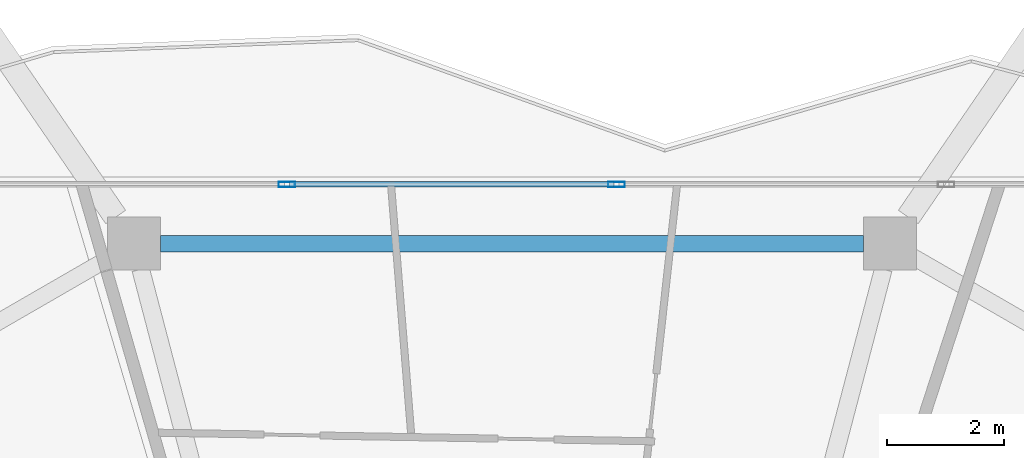
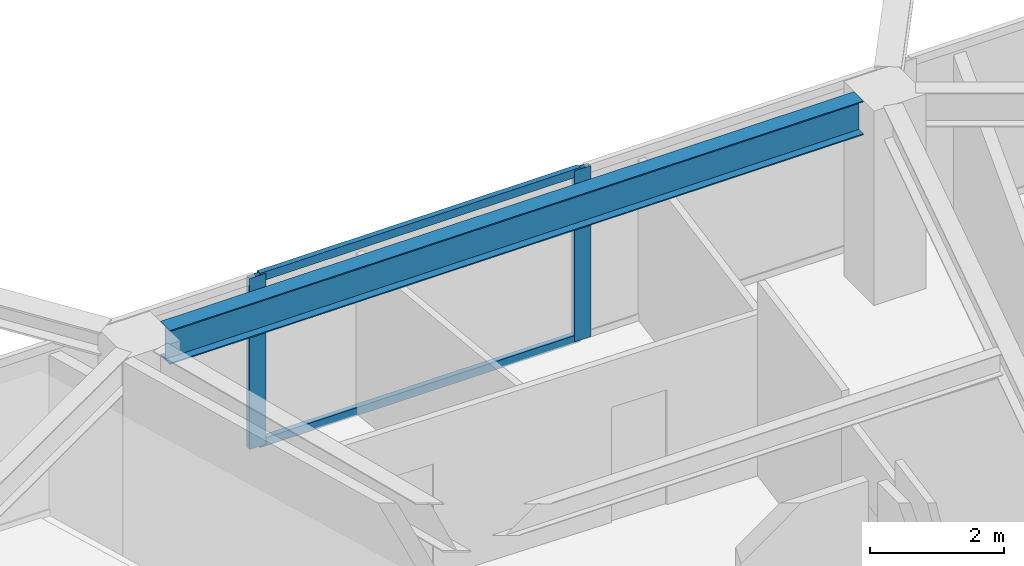
# One storey, part 14 of 26: 4 members, 1 beam, 1 element without a shape of its own.
"""IFC4 building model written with IfcOpenShell, lengths in metres."""

from ifc_helpers import new_model, si_unit, direction, frame, origin, origin_2d, place, context, subcontext, project, spatial, hollow_rectangle, i_section, extrude, material, material_profile, profile_set, type_object, element, aggregate, save


model = new_model("IFC4")

# Units and contexts
model_context = context("Model", 3, precision=1e-05, world=origin(), true_north=direction((0.0, 1.0)))
body_context = subcontext(model_context, "Body", "Model", "MODEL_VIEW")
ifc_project = project(units=[si_unit("LENGTHUNIT", "METRE"), si_unit("AREAUNIT", "SQUARE_METRE"), si_unit("VOLUMEUNIT", "CUBIC_METRE"), si_unit("PLANEANGLEUNIT", "RADIAN"), si_unit("MASSUNIT", "GRAM", prefix="KILO")], contexts=[model_context])

# Site, building, storey
site_placement = place(None, origin())
site = spatial("IfcSite", under=ifc_project, at=site_placement, CompositionType="ELEMENT")
building_placement = place(site_placement, origin())
building = spatial("IfcBuilding", under=site, at=building_placement, Name="Zuhravey Tower", CompositionType="ELEMENT")
storey_placement = place(building_placement, frame((0.0, 0.0, 242.60009765625)))
storey = spatial("IfcBuildingStorey", under=building, at=storey_placement, Name="L61", CompositionType="ELEMENT", Elevation=242.60009765625)

# Curtain wall, members
ifc_material_1 = material(Name="Thermally broken anodised aluminium", Category="aluminium")
curtain_wall_type = type_object("IfcCurtainWallType", Name="Zone 3-4 High-Rise Curtain Wall CW4", PredefinedType="NOTDEFINED", material=ifc_material_1)
curtain_wall_placement = place(storey_placement, origin())
curtain_wall = element("IfcCurtainWall", 1, at=curtain_wall_placement, inside=storey, type_object=curtain_wall_type, Name="L61 CW4 CW-L61-F2-2", PredefinedType="NOTDEFINED")
ifc_material_2 = material(Name="Anodised aluminium", Category="aluminium")
ifc_material_profile_1 = material_profile(ifc_material_2, hollow_rectangle(XDim=0.090087890625, YDim=0.284912109375, WallThickness=0.0048828125, at=origin_2d()), Name="ALU-RHS-90x285x5")
ifc_profile_set_1 = profile_set([ifc_material_profile_1], Name="Anodised aluminium")
member_type_1 = type_object("IfcMemberType", Name="Curtain-Wall Mullion 90x180", PredefinedType="MULLION", material=ifc_profile_set_1)
member_1_placement = place(storey_placement, frame((32.1650390625, 57.563720703125, 0.0), z_axis=(0.0, 0.0, 1.0), x_axis=(0.0, 1.0, 0.0)))
member_1 = element("IfcMember", 2, at=member_1_placement, type_object=member_type_1, Name="CW4 mullion 2", PredefinedType="MULLION", context=body_context, shape_type="SweptSolid", body=[
    extrude(hollow_rectangle(XDim=0.090087890625, YDim=0.284912109375, WallThickness=0.0048828125, at=origin_2d()), origin(), (0.0, 0.0, 1.0), 3.121826171875),
])
member_2_placement = place(storey_placement, frame((37.781005859375, 57.563720703125, 0.0), z_axis=(0.0, 0.0, 1.0), x_axis=(0.0, 1.0, 0.0)))
member_2 = element("IfcMember", 3, at=member_2_placement, type_object=member_type_1, Name="CW4 mullion 3", PredefinedType="MULLION", context=body_context, shape_type="SweptSolid", body=[
    extrude(hollow_rectangle(XDim=0.090087890625, YDim=0.284912109375, WallThickness=0.0048828125, at=origin_2d()), origin(), (0.0, 0.0, 1.0), 3.121826171875),
])
ifc_material_profile_2 = material_profile(ifc_material_2, hollow_rectangle(XDim=0.090087890625, YDim=0.14990234375, WallThickness=0.0048828125, at=origin_2d()), Name="ALU-RHS-90x150x5")
ifc_profile_set_2 = profile_set([ifc_material_profile_2], Name="Anodised aluminium")
member_type_2 = type_object("IfcMemberType", Name="Curtain-Wall Transom 90x150", PredefinedType="USERDEFINED", material=ifc_profile_set_2)
member_3_placement = place(storey_placement, frame((32.2099609375, 57.563720703125, 0.044921875), z_axis=(1.0, 0.0, 0.0), x_axis=(0.0, 1.0, 0.0)))
member_3 = element("IfcMember", 4, at=member_3_placement, type_object=member_type_2, Name="CW4 transom 2.1", ObjectType="TRANSOM", PredefinedType="USERDEFINED", context=body_context, shape_type="SweptSolid", body=[
    extrude(hollow_rectangle(XDim=0.090087890625, YDim=0.14990234375, WallThickness=0.0048828125, at=origin_2d()), origin(), (0.0, 0.0, 1.0), 5.52587890625),
])
member_4_placement = place(storey_placement, frame((32.2099609375, 57.563720703125, 3.076904296875), z_axis=(1.0, 0.0, 0.0), x_axis=(0.0, 1.0, 0.0)))
member_4 = element("IfcMember", 5, at=member_4_placement, type_object=member_type_2, Name="CW4 transom 2.2", ObjectType="TRANSOM", PredefinedType="USERDEFINED", context=body_context, shape_type="SweptSolid", body=[
    extrude(hollow_rectangle(XDim=0.090087890625, YDim=0.14990234375, WallThickness=0.0048828125, at=origin_2d()), origin(), (0.0, 0.0, 1.0), 5.52587890625),
])
aggregate(curtain_wall, [member_1, member_2, member_3, member_4])

# Beam
ifc_material_3 = material(Name="Steel SM355", Category="steel")
ifc_material_profile_3 = material_profile(ifc_material_3, i_section(OverallWidth=0.280029296875, OverallDepth=0.6201171875, WebThickness=0.011962890625, FlangeThickness=0.02001953125, at=origin_2d()), Name="H-620x280x12x20")
ifc_profile_set_3 = profile_set([ifc_material_profile_3], Name="Steel SM355")
beam_type = type_object("IfcBeamType", Name="Perimeter Ring Beam H620x280", PredefinedType="BEAM", material=ifc_profile_set_3)
beam_placement = place(storey_placement, frame((41.98779296875, 56.5537109375, 3.239990234375), z_axis=(-1.0, 0.0, 0.0), x_axis=(0.0, -1.0, 0.0)))
element("IfcBeam", 6, at=beam_placement, inside=storey, type_object=beam_type, Name="L61 PB3 BM-L61-PB-03", PredefinedType="BEAM", context=body_context, shape_type="SweptSolid", body=[
    extrude(i_section(OverallWidth=0.280029296875, OverallDepth=0.6201171875, WebThickness=0.011962890625, FlangeThickness=0.02001953125, at=origin_2d()), origin(), (0.0, 0.0, 1.0), 11.9755859375),
])

save(model, "model.ifc")
